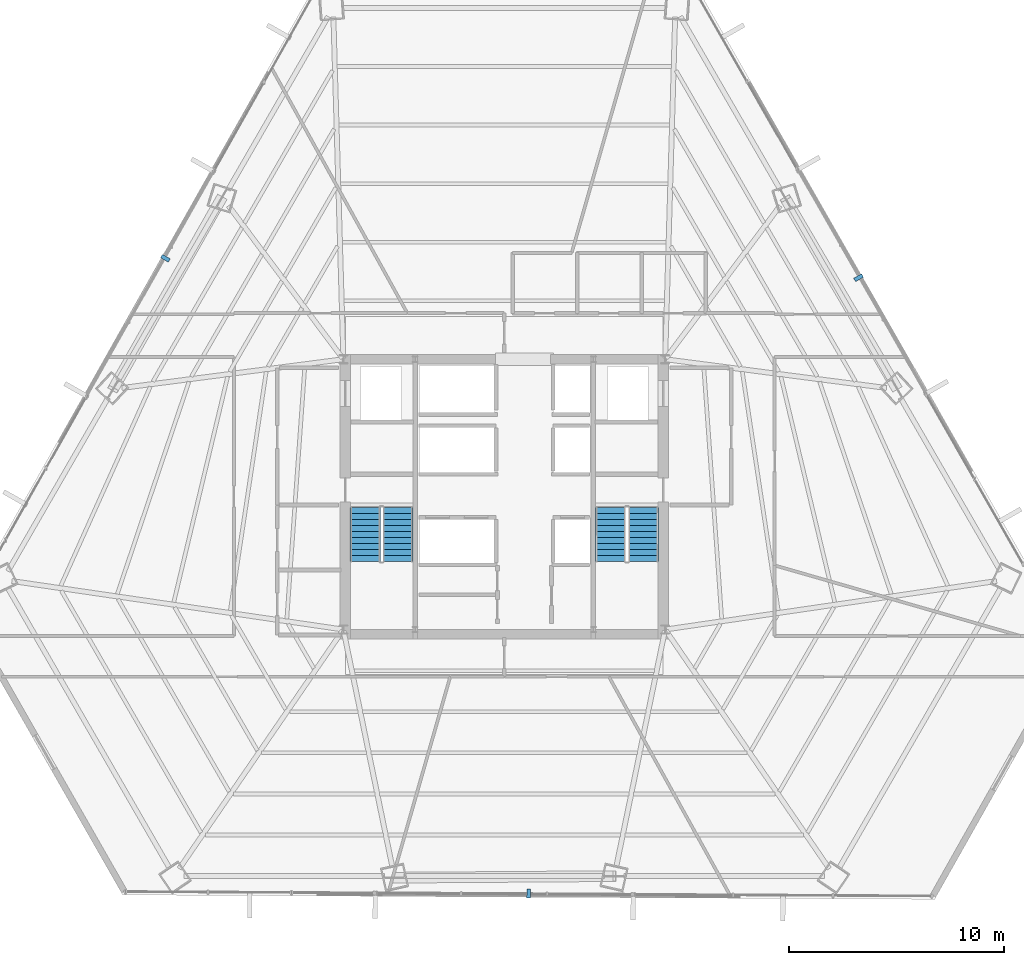
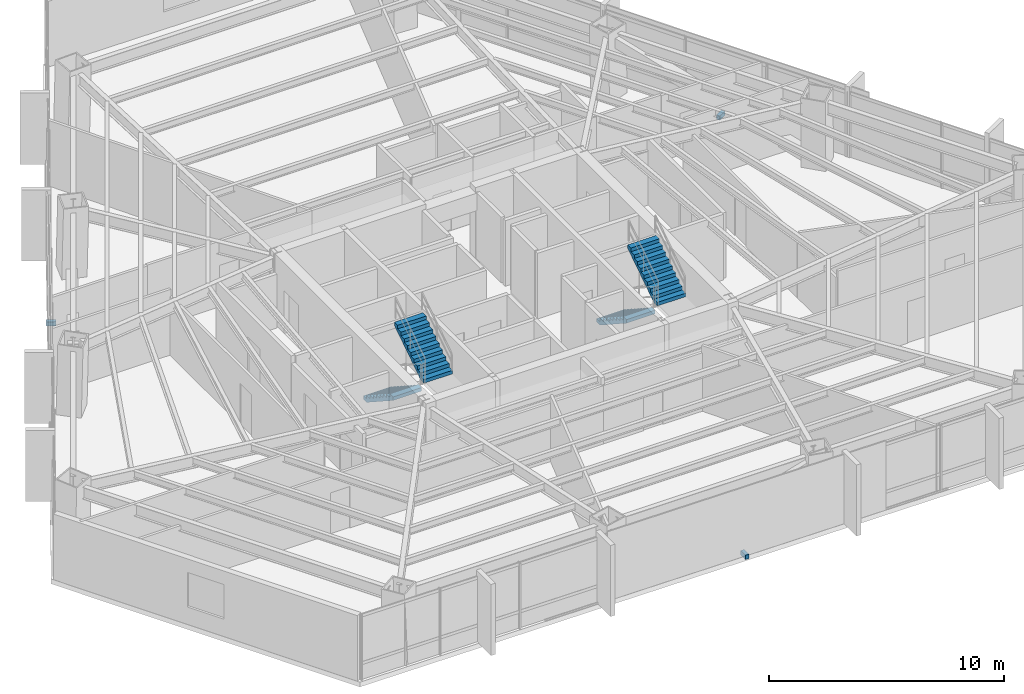
# One storey, part 33 of 36: 4 stair flights, 3 discrete accessories, 2 elements without a shape of their own.
"""IFC4 building model written with IfcOpenShell, lengths in metres."""

from ifc_helpers import new_model, si_unit, direction, frame, origin, origin_2d, place, context, subcontext, project, spatial, polyline, rectangle, outline, extrude, source, transform, mapped, material, type_object, type_shapes, element, aggregate, save


model = new_model("IFC4")

# Units and contexts
model_context = context("Model", 3, precision=1e-05, world=origin(), true_north=direction((0.0, 1.0)))
body_context = subcontext(model_context, "Body", "Model", "MODEL_VIEW")
ifc_project = project(units=[si_unit("LENGTHUNIT", "METRE"), si_unit("AREAUNIT", "SQUARE_METRE"), si_unit("VOLUMEUNIT", "CUBIC_METRE"), si_unit("PLANEANGLEUNIT", "RADIAN"), si_unit("MASSUNIT", "GRAM", prefix="KILO")], contexts=[model_context])

# Site, building, storey
site_placement = place(None, origin())
site = spatial("IfcSite", under=ifc_project, at=site_placement, CompositionType="ELEMENT")
building_placement = place(site_placement, origin())
building = spatial("IfcBuilding", under=site, at=building_placement, Name="Caelisora Broadcast Tower", CompositionType="ELEMENT")
storey_placement = place(building_placement, frame((0.0, 0.0, 79.85009765625)))
storey = spatial("IfcBuildingStorey", under=building, at=storey_placement, Name="L20", CompositionType="ELEMENT", Elevation=79.85009765625)

# Stair, stair flights
ifc_material_1 = material(Name="Concrete 40 MPa (AS 3600 N40)", Category="concrete")
stair_type_1 = type_object("IfcStairType", Name="ST-1", PredefinedType="HALF_TURN_STAIR", material=ifc_material_1)
stair_1_placement = place(storey_placement, origin())
stair_1 = element("IfcStair", 1, at=stair_1_placement, inside=storey, type_object=stair_type_1, Name="L20 West Fire-Isolated Tower Stair", PredefinedType="HALF_TURN_STAIR")
stair_flight_type = type_object("IfcStairFlightType", Name="STF-2", PredefinedType="STRAIGHT", material=ifc_material_1)
stair_flight_1_placement = place(storey_placement, frame((31.52001953125, 23.10009765625, 0.0), z_axis=(0.0, 0.0, 1.0), x_axis=(0.0, -1.0, 0.0)))
stair_flight_1 = element("IfcStairFlight", 2, at=stair_flight_1_placement, type_object=stair_flight_type, Name="ST-1 flight 1", NumberOfRisers=10, NumberOfTreads=9, PredefinedType="STRAIGHT", RiserHeight=0.1825, TreadLength=0.28, context=body_context, shape_type="SweptSolid", body=[
    extrude(outline(polyline([(0.0, 0.0), (0.0, 0.1826171875), (0.280029296875, 0.1826171875), (0.280029296875, 0.364990234375), (0.56005859375, 0.364990234375), (0.56005859375, 0.547607421875), (0.840087890625, 0.547607421875), (0.840087890625, 0.72998046875), (1.1201171875, 0.72998046875), (1.1201171875, 0.91259765625), (1.39990234375, 0.91259765625), (1.39990234375, 1.094970703125), (1.679931640625, 1.094970703125), (1.679931640625, 1.277587890625), (1.9599609375, 1.277587890625), (1.9599609375, 1.4599609375), (2.239990234375, 1.4599609375), (2.239990234375, 1.642578125), (2.52001953125, 1.642578125), (2.52001953125, 1.824951171875), (2.52001953125, 1.463623046875), (0.2744140625, 0.0), (0.0, 0.0)])), frame((0.0, 0.699951171875, 0.0), z_axis=(0.0, -1.0, 0.0), x_axis=(1.0, 0.0, 0.0)), (0.0, 0.0, 1.0), 1.39990234375),
])
stair_flight_2_placement = place(storey_placement, frame((33.0400390625, 20.580078125, 1.824951171875), z_axis=(0.0, 0.0, 1.0), x_axis=(0.0, 1.0, 0.0)))
stair_flight_2 = element("IfcStairFlight", 3, at=stair_flight_2_placement, type_object=stair_flight_type, Name="ST-1 flight 2", NumberOfRisers=10, NumberOfTreads=9, PredefinedType="STRAIGHT", RiserHeight=0.1825, TreadLength=0.28, context=body_context, shape_type="SweptSolid", body=[
    extrude(outline(polyline([(0.0, 0.0), (0.0, 0.1826171875), (0.280029296875, 0.1826171875), (0.280029296875, 0.364990234375), (0.56005859375, 0.364990234375), (0.56005859375, 0.547607421875), (0.840087890625, 0.547607421875), (0.840087890625, 0.72998046875), (1.1201171875, 0.72998046875), (1.1201171875, 0.91259765625), (1.39990234375, 0.91259765625), (1.39990234375, 1.094970703125), (1.679931640625, 1.094970703125), (1.679931640625, 1.277587890625), (1.9599609375, 1.277587890625), (1.9599609375, 1.4599609375), (2.239990234375, 1.4599609375), (2.239990234375, 1.642578125), (2.52001953125, 1.642578125), (2.52001953125, 1.824951171875), (2.52001953125, 1.463623046875), (0.2744140625, 0.0), (0.0, 0.0)])), frame((0.0, 0.699951171875, 0.0), z_axis=(0.0, -1.0, 0.0), x_axis=(1.0, 0.0, 0.0)), (0.0, 0.0, 1.0), 1.39990234375),
])
aggregate(stair_1, [stair_flight_1, stair_flight_2])

stair_type_2 = type_object("IfcStairType", Name="ST-2", PredefinedType="HALF_TURN_STAIR", material=ifc_material_1)
stair_2_placement = place(storey_placement, origin())
stair_2 = element("IfcStair", 4, at=stair_2_placement, inside=storey, type_object=stair_type_2, Name="L20 East Fire-Isolated Tower Stair", PredefinedType="HALF_TURN_STAIR")
stair_flight_3_placement = place(storey_placement, frame((42.9599609375, 23.10009765625, 0.0), z_axis=(0.0, 0.0, 1.0), x_axis=(0.0, -1.0, 0.0)))
stair_flight_3 = element("IfcStairFlight", 5, at=stair_flight_3_placement, type_object=stair_flight_type, Name="ST-2 flight 1", NumberOfRisers=10, NumberOfTreads=9, PredefinedType="STRAIGHT", RiserHeight=0.1825, TreadLength=0.28, context=body_context, shape_type="SweptSolid", body=[
    extrude(outline(polyline([(0.0, 0.0), (0.0, 0.1826171875), (0.280029296875, 0.1826171875), (0.280029296875, 0.364990234375), (0.56005859375, 0.364990234375), (0.56005859375, 0.547607421875), (0.840087890625, 0.547607421875), (0.840087890625, 0.72998046875), (1.1201171875, 0.72998046875), (1.1201171875, 0.91259765625), (1.39990234375, 0.91259765625), (1.39990234375, 1.094970703125), (1.679931640625, 1.094970703125), (1.679931640625, 1.277587890625), (1.9599609375, 1.277587890625), (1.9599609375, 1.4599609375), (2.239990234375, 1.4599609375), (2.239990234375, 1.642578125), (2.52001953125, 1.642578125), (2.52001953125, 1.824951171875), (2.52001953125, 1.463623046875), (0.2744140625, 0.0), (0.0, 0.0)])), frame((0.0, 0.699951171875, 0.0), z_axis=(0.0, -1.0, 0.0), x_axis=(1.0, 0.0, 0.0)), (0.0, 0.0, 1.0), 1.39990234375),
])
stair_flight_4_placement = place(storey_placement, frame((44.47998046875, 20.580078125, 1.824951171875), z_axis=(0.0, 0.0, 1.0), x_axis=(0.0, 1.0, 0.0)))
stair_flight_4 = element("IfcStairFlight", 6, at=stair_flight_4_placement, type_object=stair_flight_type, Name="ST-2 flight 2", NumberOfRisers=10, NumberOfTreads=9, PredefinedType="STRAIGHT", RiserHeight=0.1825, TreadLength=0.28, context=body_context, shape_type="SweptSolid", body=[
    extrude(outline(polyline([(0.0, 0.0), (0.0, 0.1826171875), (0.280029296875, 0.1826171875), (0.280029296875, 0.364990234375), (0.56005859375, 0.364990234375), (0.56005859375, 0.547607421875), (0.840087890625, 0.547607421875), (0.840087890625, 0.72998046875), (1.1201171875, 0.72998046875), (1.1201171875, 0.91259765625), (1.39990234375, 0.91259765625), (1.39990234375, 1.094970703125), (1.679931640625, 1.094970703125), (1.679931640625, 1.277587890625), (1.9599609375, 1.277587890625), (1.9599609375, 1.4599609375), (2.239990234375, 1.4599609375), (2.239990234375, 1.642578125), (2.52001953125, 1.642578125), (2.52001953125, 1.824951171875), (2.52001953125, 1.463623046875), (0.2744140625, 0.0), (0.0, 0.0)])), frame((0.0, 0.699951171875, 0.0), z_axis=(0.0, -1.0, 0.0), x_axis=(1.0, 0.0, 0.0)), (0.0, 0.0, 1.0), 1.39990234375),
])
aggregate(stair_2, [stair_flight_3, stair_flight_4])

# Discrete accessories
ifc_material_2 = material(Name="Steel Grade 350 (AS/NZS 3679.1)", Category="steel")
discrete_accessory_type = type_object("IfcDiscreteAccessoryType", Name="BRK-1", PredefinedType="BRACKET", material=ifc_material_2)
shared_shape = source(origin(), body_context, "Body", "SweptSolid", [
    extrude(rectangle(XDim=0.179931640625, YDim=0.419921875, at=origin_2d()), origin(), (0.0, 0.0, 1.0), 0.219970703125),
])
type_shapes(discrete_accessory_type, [shared_shape])
for number, where, z_axis, x_axis, name in (
    (7, (22.207763671875, 34.70361328125, -0.16015625), (0.0, 0.0, 1.0), (-0.49181581725, -0.870699260309, 0.0), "L20 solar screen outrigger bracket #1"),
    (8, (39.138427734375, 5.10693359375, -0.16015625), (0.0, 0.0, 1.0), (0.999985363169, -0.005410494284, 0.0), "L20 solar screen outrigger bracket #2"),
    (9, (54.51318359375, 33.799072265625, -0.16015625), (0.0, 0.0, 1.0), (-0.49667102347, 0.867938877136, 0.0), "L20 solar screen outrigger bracket #3"),
):
    element("IfcDiscreteAccessory", number, at=place(storey_placement, frame(where, z_axis=z_axis, x_axis=x_axis)), inside=storey, type_object=discrete_accessory_type, Name=name, PredefinedType="BRACKET", context=body_context, shape_type="MappedRepresentation", body=[
        mapped(shared_shape, transform((0.0, 0.0, 0.0), scale=1.0)),
    ])

save(model, "model.ifc")
